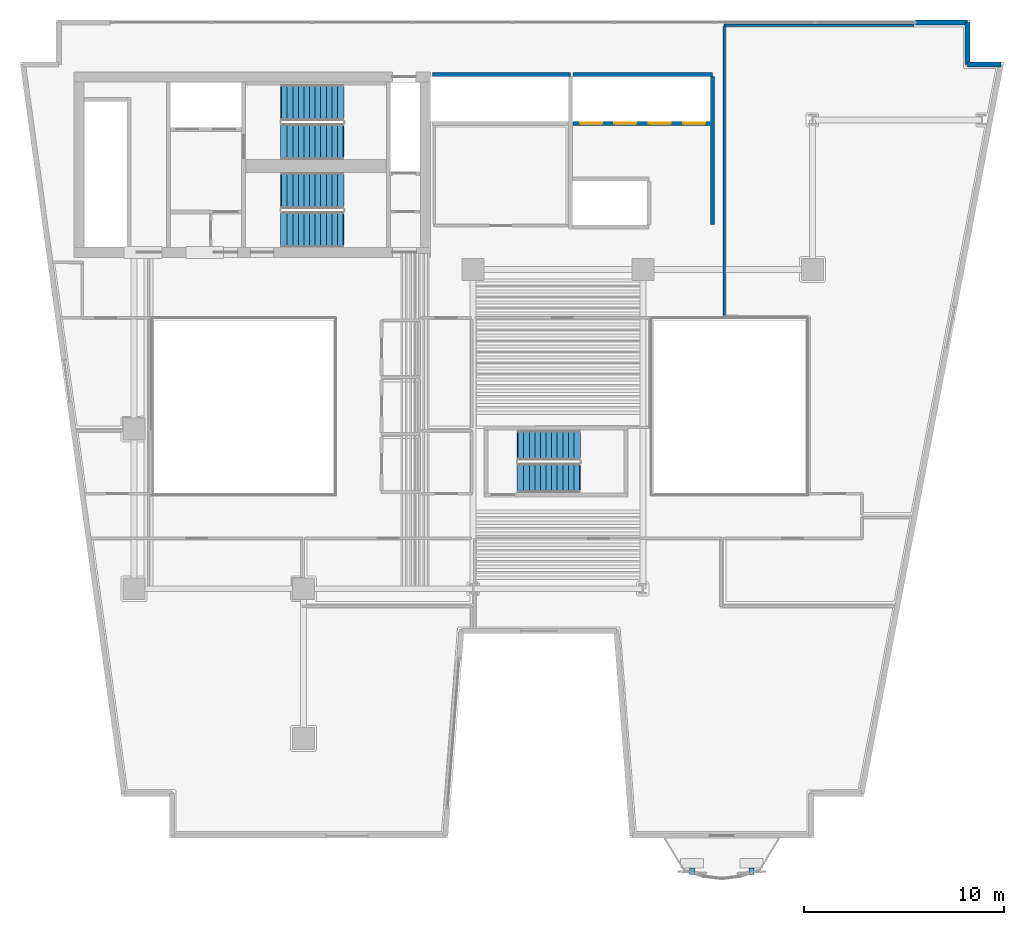
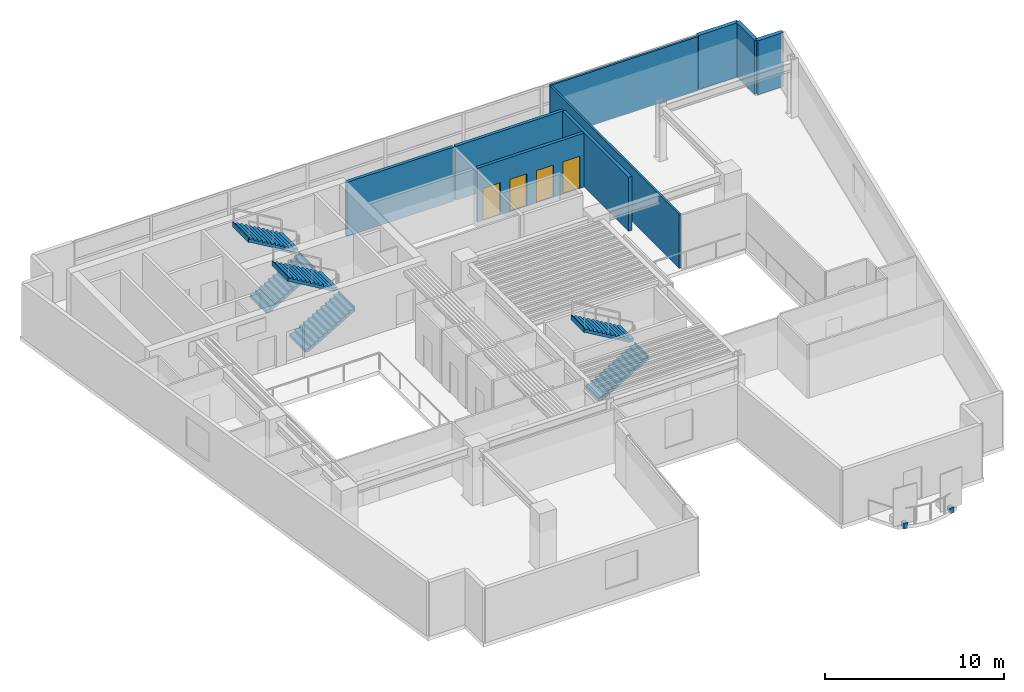
# One storey, part 8 of 12: 9 walls, 6 stair flights, 4 doors, 2 discrete accessories, 4 openings, 3 elements without a shape of their own.
"""IFC4 building model written with IfcOpenShell, lengths in metres."""

from ifc_helpers import new_model, si_unit, direction, frame, frame_2d, origin, origin_2d, place, context, subcontext, project, spatial, polyline, rectangle, outline, extrude, material, layer, layer_set, type_object, element, fill, aggregate, save


model = new_model("IFC4")

# Units and contexts
model_context = context("Model", 3, precision=1e-05, world=origin(), true_north=direction((0.0, 1.0)))
body_context = subcontext(model_context, "Body", "Model", "MODEL_VIEW")
ifc_project = project(units=[si_unit("LENGTHUNIT", "METRE"), si_unit("AREAUNIT", "SQUARE_METRE"), si_unit("VOLUMEUNIT", "CUBIC_METRE"), si_unit("PLANEANGLEUNIT", "RADIAN"), si_unit("MASSUNIT", "GRAM", prefix="KILO")], contexts=[model_context])

# Site, building, storey
site_placement = place(None, origin())
site = spatial("IfcSite", under=ifc_project, at=site_placement, CompositionType="ELEMENT")
building_placement = place(site_placement, origin())
building = spatial("IfcBuilding", under=site, at=building_placement, Name="Caeloran Harvest Quay", CompositionType="ELEMENT")
storey_placement = place(building_placement, frame((0.0, 0.0, 111.39990234375)))
storey = spatial("IfcBuildingStorey", under=building, at=storey_placement, Name="L25", CompositionType="ELEMENT", Elevation=111.39990234375)

# Walls
ifc_material_1 = material(Name="Precast concrete C50/60", Category="concrete")
ifc_layer_1 = layer(ifc_material_1, 0.260009765625, Name="Precast concrete C50/60")
ifc_layer_set_1 = layer_set([ifc_layer_1], Name="Precast concrete C50/60")
wall_type_1 = type_object("IfcWallType", Name="ENV-WALL-EW-260", PredefinedType="STANDARD", material=ifc_layer_set_1)
wall_1_placement = place(storey_placement, frame((47.669921875, 43.3701171875, 0.0), z_axis=(0.0, 0.0, 1.0), x_axis=(1.0, 0.0, 0.0)))
element("IfcWall", 1, at=wall_1_placement, inside=storey, type_object=wall_type_1, Name="L25 Exterior Facade Corner Pier Wall 6B", PredefinedType="STANDARD", context=body_context, shape_type="SweptSolid", body=[
    extrude(rectangle(XDim=2.60009765625, YDim=0.260009765625, at=frame_2d((1.300048828125, 0.0))), origin(), (0.0, 0.0, 1.0), 3.690185546875),
])
wall_2_placement = place(storey_placement, frame((50.27001953125, 43.3701171875, 0.0), z_axis=(0.0, 0.0, 1.0), x_axis=(0.0, -1.0, 0.0)))
element("IfcWall", 2, at=wall_2_placement, inside=storey, type_object=wall_type_1, Name="L25 Exterior Precast Concrete Facade Wall 7", PredefinedType="STANDARD", context=body_context, shape_type="SweptSolid", body=[
    extrude(rectangle(XDim=2.10009765625, YDim=0.260009765625, at=frame_2d((1.050048828125, 0.0))), origin(), (0.0, 0.0, 1.0), 3.690185546875),
])
wall_3_placement = place(storey_placement, frame((50.27001953125, 41.27001953125, 0.0), z_axis=(0.0, 0.0, 1.0), x_axis=(1.0, 0.0, 0.0)))
element("IfcWall", 3, at=wall_3_placement, inside=storey, type_object=wall_type_1, Name="L25 Exterior Precast Concrete Facade Wall 8", PredefinedType="STANDARD", context=body_context, shape_type="SweptSolid", body=[
    extrude(rectangle(XDim=1.671875, YDim=0.260009765625, at=frame_2d((0.8359375, 0.0))), origin(), (0.0, 0.0, 1.0), 3.690185546875),
])
ifc_material_2 = material(Name="Twin-Stud Mineral-Wool Acoustic Gypsum Partition", Category="gypsum")
ifc_layer_2 = layer(ifc_material_2, 0.125, Name="Twin-Stud Mineral-Wool Acoustic Gypsum Partition")
ifc_layer_set_2 = layer_set([ifc_layer_2], Name="Twin-Stud Mineral-Wool Acoustic Gypsum Partition")
wall_type_2 = type_object("IfcWallType", Name="INT-WALL-PW-125", PredefinedType="PARTITIONING", material=ifc_layer_set_2)
wall_4_placement = place(storey_placement, frame((38.080078125, 43.239990234375, 0.0), z_axis=(0.0, 0.0, 1.0), x_axis=(1.0, 0.0, 0.0)))
element("IfcWall", 4, at=wall_4_placement, inside=storey, type_object=wall_type_2, Name="Phenotyping Sensor Laboratory 10 Partition Wall", PredefinedType="PARTITIONING", context=body_context, shape_type="SweptSolid", body=[
    extrude(rectangle(XDim=9.515380859375, YDim=0.125, at=frame_2d((4.7578125, 0.0))), origin(), (0.0, 0.0, 1.0), 3.690185546875),
])
wall_5_placement = place(storey_placement, frame((38.080078125, 28.697509765625, 0.0), z_axis=(0.0, 0.0, 1.0), x_axis=(0.0, 1.0, 0.0)))
element("IfcWall", 5, at=wall_5_placement, inside=storey, type_object=wall_type_2, Name="Phenotyping Sensor Laboratory 10 Partition Wall", PredefinedType="PARTITIONING", context=body_context, shape_type="SweptSolid", body=[
    extrude(rectangle(XDim=14.47509765625, YDim=0.125, at=frame_2d((7.237548828125, 0.0))), origin(), (0.0, 0.0, 1.0), 3.690185546875),
])
ifc_material_3 = material(Name="Concrete C50/60", Category="concrete")
ifc_layer_3 = layer(ifc_material_3, 0.199951171875, Name="Concrete C50/60")
ifc_layer_set_3 = layer_set([ifc_layer_3], Name="Concrete C50/60")
wall_type_3 = type_object("IfcWallType", Name="INT-WALL-SW-200", PredefinedType="PARTITIONING", material=ifc_layer_set_3)
wall_6_placement = place(storey_placement, frame((23.469970703125, 40.780029296875, 0.0), z_axis=(0.0, 0.0, 1.0), x_axis=(1.0, 0.0, 0.0)))
element("IfcWall", 6, at=wall_6_placement, inside=storey, type_object=wall_type_3, Name="L25 Bank 1 Lift Shaft North Wall", PredefinedType="PARTITIONING", context=body_context, shape_type="SweptSolid", body=[
    extrude(rectangle(XDim=6.909912109375, YDim=0.199951171875, at=frame_2d((3.455078125, 0.0))), origin(), (0.0, 0.0, 1.0), 3.690185546875),
])
wall_7_placement = place(storey_placement, frame((30.5, 40.780029296875, 0.0), z_axis=(0.0, 0.0, 1.0), x_axis=(1.0, 0.0, 0.0)))
element("IfcWall", 7, at=wall_7_placement, inside=storey, type_object=wall_type_3, Name="L25 Bank 2 Lift Shaft North Wall", PredefinedType="PARTITIONING", context=body_context, shape_type="SweptSolid", body=[
    extrude(rectangle(XDim=6.97998046875, YDim=0.199951171875, at=frame_2d((3.489990234375, 0.0))), origin(), (0.0, 0.0, 1.0), 3.690185546875),
])
wall_8_placement = place(storey_placement, frame((37.47998046875, 33.239990234375, 0.0), z_axis=(0.0, 0.0, 1.0), x_axis=(0.0, 1.0, 0.0)))
element("IfcWall", 8, at=wall_8_placement, inside=storey, type_object=wall_type_3, Name="L25 Bank 2 Lift Shaft East Wall", PredefinedType="PARTITIONING", context=body_context, shape_type="SweptSolid", body=[
    extrude(rectangle(XDim=7.419921875, YDim=0.199951171875, at=frame_2d((3.7099609375, 0.0))), origin(), (0.0, 0.0, 1.0), 3.690185546875),
])

# Wall, openings, doors
wall_9_placement = place(storey_placement, frame((30.5, 38.320068359375, 0.0), z_axis=(0.0, 0.0, 1.0), x_axis=(1.0, 0.0, 0.0)))
wall_9 = element("IfcWall", 9, at=wall_9_placement, inside=storey, type_object=wall_type_3, Name="L25 Bank 2 Lift Landing Front Wall", PredefinedType="PARTITIONING", context=body_context, shape_type="SweptSolid", body=[
    extrude(rectangle(XDim=6.860107421875, YDim=0.199951171875, at=frame_2d((3.43017578125, 0.0))), origin(), (0.0, 0.0, 1.0), 3.690185546875),
])
opening_1_placement = place(wall_9_placement, frame((0.360107421875, 0.0, 0.0)))
opening_1 = element("IfcOpeningElement", 10, at=opening_1_placement, cuts=wall_9, Name="Opening LD-01", PredefinedType="OPENING", context=body_context, shape_type="SweptSolid", body=[
    extrude(rectangle(XDim=1.10009765625, YDim=2.199951171875, at=frame_2d((0.550048828125, 1.10009765625))), frame((0.0, 0.10986328125, 0.0), z_axis=(0.0, -1.0, 0.0), x_axis=(1.0, 0.0, 0.0)), (0.0, 0.0, 1.0), 0.219970703125),
])
opening_2_placement = place(wall_9_placement, frame((2.080078125, 0.0, 0.0)))
opening_2 = element("IfcOpeningElement", 11, at=opening_2_placement, cuts=wall_9, Name="Opening LD-01", PredefinedType="OPENING", context=body_context, shape_type="SweptSolid", body=[
    extrude(rectangle(XDim=1.10009765625, YDim=2.199951171875, at=frame_2d((0.550048828125, 1.10009765625))), frame((0.0, 0.10986328125, 0.0), z_axis=(0.0, -1.0, 0.0), x_axis=(1.0, 0.0, 0.0)), (0.0, 0.0, 1.0), 0.219970703125),
])
opening_3_placement = place(wall_9_placement, frame((3.800048828125, 0.0, 0.0)))
opening_3 = element("IfcOpeningElement", 12, at=opening_3_placement, cuts=wall_9, Name="Opening LD-01", PredefinedType="OPENING", context=body_context, shape_type="SweptSolid", body=[
    extrude(rectangle(XDim=1.10009765625, YDim=2.199951171875, at=frame_2d((0.550048828125, 1.10009765625))), frame((0.0, 0.10986328125, 0.0), z_axis=(0.0, -1.0, 0.0), x_axis=(1.0, 0.0, 0.0)), (0.0, 0.0, 1.0), 0.219970703125),
])
opening_4_placement = place(wall_9_placement, frame((5.52001953125, 0.0, 0.0)))
opening_4 = element("IfcOpeningElement", 13, at=opening_4_placement, cuts=wall_9, Name="Opening LD-01", PredefinedType="OPENING", context=body_context, shape_type="SweptSolid", body=[
    extrude(rectangle(XDim=1.10009765625, YDim=2.199951171875, at=frame_2d((0.550048828125, 1.10009765625))), frame((0.0, 0.10986328125, 0.0), z_axis=(0.0, -1.0, 0.0), x_axis=(1.0, 0.0, 0.0)), (0.0, 0.0, 1.0), 0.219970703125),
])
ifc_material_4 = material(Name="Stainless Steel Grade 316", Category="steel")
door_type = type_object("IfcDoorType", Name="INTDOOR-LD-01", OperationType="NOTDEFINED", PredefinedType="DOOR", material=ifc_material_4)
door_1_placement = place(opening_1_placement, origin())
door_1 = element("IfcDoor", 14, at=door_1_placement, inside=storey, type_object=door_type, Name="Lift P2-1 Sliding Landing Door (L25)", OperationType="DOUBLE_DOOR_SLIDING", OverallHeight=2.199951171875, OverallWidth=1.10009765625, PredefinedType="DOOR", context=body_context, shape_type="SweptSolid", body=[
    extrude(rectangle(XDim=1.10009765625, YDim=2.199951171875, at=frame_2d((0.550048828125, 1.10009765625))), frame((0.0, 0.02490234375, 0.0), z_axis=(0.0, -1.0, 0.0), x_axis=(1.0, 0.0, 0.0)), (0.0, 0.0, 1.0), 0.050048828125),
])
fill(opening_1, door_1)
door_2_placement = place(opening_2_placement, origin())
door_2 = element("IfcDoor", 15, at=door_2_placement, inside=storey, type_object=door_type, Name="Lift P2-2 Sliding Landing Door (L25)", OperationType="DOUBLE_DOOR_SLIDING", OverallHeight=2.199951171875, OverallWidth=1.10009765625, PredefinedType="DOOR", context=body_context, shape_type="SweptSolid", body=[
    extrude(rectangle(XDim=1.10009765625, YDim=2.199951171875, at=frame_2d((0.550048828125, 1.10009765625))), frame((0.0, 0.02490234375, 0.0), z_axis=(0.0, -1.0, 0.0), x_axis=(1.0, 0.0, 0.0)), (0.0, 0.0, 1.0), 0.050048828125),
])
fill(opening_2, door_2)
door_3_placement = place(opening_3_placement, origin())
door_3 = element("IfcDoor", 16, at=door_3_placement, inside=storey, type_object=door_type, Name="Lift P2-3 Sliding Landing Door (L25)", OperationType="DOUBLE_DOOR_SLIDING", OverallHeight=2.199951171875, OverallWidth=1.10009765625, PredefinedType="DOOR", context=body_context, shape_type="SweptSolid", body=[
    extrude(rectangle(XDim=1.10009765625, YDim=2.199951171875, at=frame_2d((0.550048828125, 1.10009765625))), frame((0.0, 0.02490234375, 0.0), z_axis=(0.0, -1.0, 0.0), x_axis=(1.0, 0.0, 0.0)), (0.0, 0.0, 1.0), 0.050048828125),
])
fill(opening_3, door_3)
door_4_placement = place(opening_4_placement, origin())
door_4 = element("IfcDoor", 17, at=door_4_placement, inside=storey, type_object=door_type, Name="Lift P2-4 Sliding Landing Door (L25)", OperationType="DOUBLE_DOOR_SLIDING", OverallHeight=2.199951171875, OverallWidth=1.10009765625, PredefinedType="DOOR", context=body_context, shape_type="SweptSolid", body=[
    extrude(rectangle(XDim=1.10009765625, YDim=2.199951171875, at=frame_2d((0.550048828125, 1.10009765625))), frame((0.0, 0.02490234375, 0.0), z_axis=(0.0, -1.0, 0.0), x_axis=(1.0, 0.0, 0.0)), (0.0, 0.0, 1.0), 0.050048828125),
])
fill(opening_4, door_4)

# Stair, stair flights
stair_type_1 = type_object("IfcStairType", Name="STAIR-STC-180", PredefinedType="HALF_TURN_STAIR", material=ifc_material_3)
stair_1_placement = place(storey_placement, origin())
stair_1 = element("IfcStair", 18, at=stair_1_placement, inside=storey, type_object=stair_type_1, Name="L25 Core Pressurized Exit Stair ST-C1", PredefinedType="HALF_TURN_STAIR")
stair_flight_type_1 = type_object("IfcStairFlightType", Name="FLIGHT-STC-180", PredefinedType="STRAIGHT", material=ifc_material_3)
stair_flight_1_placement = place(storey_placement, frame((15.89990234375, 37.39990234375, 0.0), z_axis=(0.0, 0.0, 1.0), x_axis=(1.0, 0.0, 0.0)))
stair_flight_1 = element("IfcStairFlight", 19, at=stair_flight_1_placement, type_object=stair_flight_type_1, Name="ST-C1 flight 1", NumberOfRisers=12, NumberOfTreads=11, PredefinedType="STRAIGHT", RiserHeight=0.164583333, TreadLength=0.28, context=body_context, shape_type="SweptSolid", body=[
    extrude(outline(polyline([(-0.054931640625, -0.044921875), (-0.054931640625, -0.031982421875), (-0.054931640625, -0.018798828125), (-0.054931640625, -0.005615234375), (-0.054931640625, 0.00732421875), (-0.054931640625, 0.0205078125), (-0.054931640625, 0.03369140625), (-0.054931640625, 0.046630859375), (-0.054931640625, 0.059814453125), (-0.054931640625, 0.072998046875), (-0.054931640625, 0.0859375), (-0.054931640625, 0.09912109375), (-0.054931640625, 0.1123046875), (-0.054931640625, 0.125244140625), (-0.054931640625, 0.138427734375), (-0.054931640625, 0.1513671875), (-0.054931640625, 0.16455078125), (0.280029296875, 0.16455078125), (0.280029296875, 0.3291015625), (0.56005859375, 0.3291015625), (0.56005859375, 0.49365234375), (0.840087890625, 0.49365234375), (0.840087890625, 0.658447265625), (1.1201171875, 0.658447265625), (1.1201171875, 0.822998046875), (1.39990234375, 0.822998046875), (1.39990234375, 0.987548828125), (1.679931640625, 0.987548828125), (1.679931640625, 1.152099609375), (1.9599609375, 1.152099609375), (1.9599609375, 1.316650390625), (2.239990234375, 1.316650390625), (2.239990234375, 1.481201171875), (2.52001953125, 1.481201171875), (2.52001953125, 1.645751953125), (2.800048828125, 1.645751953125), (2.800048828125, 1.810302734375), (3.080078125, 1.810302734375), (3.080078125, 1.97509765625), (3.135009765625, 1.97509765625), (3.135009765625, 1.953857421875), (3.135009765625, 1.9326171875), (3.135009765625, 1.91162109375), (3.135009765625, 1.890380859375), (3.135009765625, 1.869140625), (3.135009765625, 1.84814453125), (3.135009765625, 1.826904296875), (3.135009765625, 1.8056640625), (3.135009765625, 1.78466796875), (3.135009765625, 1.763427734375), (3.135009765625, 1.7421875), (3.135009765625, 1.72119140625), (3.135009765625, 1.699951171875), (3.135009765625, 1.678955078125), (3.135009765625, 1.65771484375), (3.135009765625, 1.636474609375), (3.080078125, 1.636474609375), (0.21923828125, -0.044921875), (-0.054931640625, -0.044921875)])), frame((0.0, 0.89990234375, 0.0), z_axis=(0.0, -1.0, 0.0), x_axis=(1.0, 0.0, 0.0)), (0.0, 0.0, 1.0), 1.800048828125),
])
stair_flight_2_placement = place(storey_placement, frame((18.97998046875, 39.35009765625, 1.97509765625), z_axis=(0.0, 0.0, 1.0), x_axis=(-1.0, 0.0, 0.0)))
stair_flight_2 = element("IfcStairFlight", 20, at=stair_flight_2_placement, type_object=stair_flight_type_1, Name="ST-C1 flight 2", NumberOfRisers=12, NumberOfTreads=11, PredefinedType="STRAIGHT", RiserHeight=0.164583333, TreadLength=0.28, context=body_context, shape_type="SweptSolid", body=[
    extrude(outline(polyline([(-0.054931640625, -0.044921875), (-0.054931640625, -0.031982421875), (-0.054931640625, -0.018798828125), (-0.054931640625, -0.005615234375), (-0.054931640625, 0.00732421875), (-0.054931640625, 0.0205078125), (-0.054931640625, 0.03369140625), (-0.054931640625, 0.046630859375), (-0.054931640625, 0.059814453125), (-0.054931640625, 0.072998046875), (-0.054931640625, 0.0859375), (-0.054931640625, 0.09912109375), (-0.054931640625, 0.1123046875), (-0.054931640625, 0.125244140625), (-0.054931640625, 0.138427734375), (-0.054931640625, 0.1513671875), (-0.054931640625, 0.16455078125), (0.280029296875, 0.16455078125), (0.280029296875, 0.3291015625), (0.56005859375, 0.3291015625), (0.56005859375, 0.49365234375), (0.840087890625, 0.49365234375), (0.840087890625, 0.658447265625), (1.1201171875, 0.658447265625), (1.1201171875, 0.822998046875), (1.39990234375, 0.822998046875), (1.39990234375, 0.987548828125), (1.679931640625, 0.987548828125), (1.679931640625, 1.152099609375), (1.9599609375, 1.152099609375), (1.9599609375, 1.316650390625), (2.239990234375, 1.316650390625), (2.239990234375, 1.481201171875), (2.52001953125, 1.481201171875), (2.52001953125, 1.645751953125), (2.800048828125, 1.645751953125), (2.800048828125, 1.810302734375), (3.080078125, 1.810302734375), (3.080078125, 1.97509765625), (3.135009765625, 1.97509765625), (3.135009765625, 1.953857421875), (3.135009765625, 1.9326171875), (3.135009765625, 1.91162109375), (3.135009765625, 1.890380859375), (3.135009765625, 1.869140625), (3.135009765625, 1.84814453125), (3.135009765625, 1.826904296875), (3.135009765625, 1.8056640625), (3.135009765625, 1.78466796875), (3.135009765625, 1.763427734375), (3.135009765625, 1.7421875), (3.135009765625, 1.72119140625), (3.135009765625, 1.699951171875), (3.135009765625, 1.678955078125), (3.135009765625, 1.65771484375), (3.135009765625, 1.636474609375), (3.080078125, 1.636474609375), (0.21923828125, -0.044921875), (-0.054931640625, -0.044921875)])), frame((0.0, 0.89990234375, 0.0), z_axis=(0.0, -1.0, 0.0), x_axis=(1.0, 0.0, 0.0)), (0.0, 0.0, 1.0), 1.800048828125),
])
aggregate(stair_1, [stair_flight_1, stair_flight_2])

stair_2_placement = place(storey_placement, origin())
stair_2 = element("IfcStair", 21, at=stair_2_placement, inside=storey, type_object=stair_type_1, Name="L25 Core Pressurized Exit Stair ST-C2", PredefinedType="HALF_TURN_STAIR")
stair_flight_3_placement = place(storey_placement, frame((15.89990234375, 33.0, 0.0), z_axis=(0.0, 0.0, 1.0), x_axis=(1.0, 0.0, 0.0)))
stair_flight_3 = element("IfcStairFlight", 22, at=stair_flight_3_placement, type_object=stair_flight_type_1, Name="ST-C2 flight 1", NumberOfRisers=12, NumberOfTreads=11, PredefinedType="STRAIGHT", RiserHeight=0.164583333, TreadLength=0.28, context=body_context, shape_type="SweptSolid", body=[
    extrude(outline(polyline([(-0.054931640625, -0.044921875), (-0.054931640625, -0.031982421875), (-0.054931640625, -0.018798828125), (-0.054931640625, -0.005615234375), (-0.054931640625, 0.00732421875), (-0.054931640625, 0.0205078125), (-0.054931640625, 0.03369140625), (-0.054931640625, 0.046630859375), (-0.054931640625, 0.059814453125), (-0.054931640625, 0.072998046875), (-0.054931640625, 0.0859375), (-0.054931640625, 0.09912109375), (-0.054931640625, 0.1123046875), (-0.054931640625, 0.125244140625), (-0.054931640625, 0.138427734375), (-0.054931640625, 0.1513671875), (-0.054931640625, 0.16455078125), (0.280029296875, 0.16455078125), (0.280029296875, 0.3291015625), (0.56005859375, 0.3291015625), (0.56005859375, 0.49365234375), (0.840087890625, 0.49365234375), (0.840087890625, 0.658447265625), (1.1201171875, 0.658447265625), (1.1201171875, 0.822998046875), (1.39990234375, 0.822998046875), (1.39990234375, 0.987548828125), (1.679931640625, 0.987548828125), (1.679931640625, 1.152099609375), (1.9599609375, 1.152099609375), (1.9599609375, 1.316650390625), (2.239990234375, 1.316650390625), (2.239990234375, 1.481201171875), (2.52001953125, 1.481201171875), (2.52001953125, 1.645751953125), (2.800048828125, 1.645751953125), (2.800048828125, 1.810302734375), (3.080078125, 1.810302734375), (3.080078125, 1.97509765625), (3.135009765625, 1.97509765625), (3.135009765625, 1.953857421875), (3.135009765625, 1.9326171875), (3.135009765625, 1.91162109375), (3.135009765625, 1.890380859375), (3.135009765625, 1.869140625), (3.135009765625, 1.84814453125), (3.135009765625, 1.826904296875), (3.135009765625, 1.8056640625), (3.135009765625, 1.78466796875), (3.135009765625, 1.763427734375), (3.135009765625, 1.7421875), (3.135009765625, 1.72119140625), (3.135009765625, 1.699951171875), (3.135009765625, 1.678955078125), (3.135009765625, 1.65771484375), (3.135009765625, 1.636474609375), (3.080078125, 1.636474609375), (0.21923828125, -0.044921875), (-0.054931640625, -0.044921875)])), frame((0.0, 0.89990234375, 0.0), z_axis=(0.0, -1.0, 0.0), x_axis=(1.0, 0.0, 0.0)), (0.0, 0.0, 1.0), 1.800048828125),
])
stair_flight_4_placement = place(storey_placement, frame((18.97998046875, 34.949951171875, 1.97509765625), z_axis=(0.0, 0.0, 1.0), x_axis=(-1.0, 0.0, 0.0)))
stair_flight_4 = element("IfcStairFlight", 23, at=stair_flight_4_placement, type_object=stair_flight_type_1, Name="ST-C2 flight 2", NumberOfRisers=12, NumberOfTreads=11, PredefinedType="STRAIGHT", RiserHeight=0.164583333, TreadLength=0.28, context=body_context, shape_type="SweptSolid", body=[
    extrude(outline(polyline([(-0.054931640625, -0.044921875), (-0.054931640625, -0.031982421875), (-0.054931640625, -0.018798828125), (-0.054931640625, -0.005615234375), (-0.054931640625, 0.00732421875), (-0.054931640625, 0.0205078125), (-0.054931640625, 0.03369140625), (-0.054931640625, 0.046630859375), (-0.054931640625, 0.059814453125), (-0.054931640625, 0.072998046875), (-0.054931640625, 0.0859375), (-0.054931640625, 0.09912109375), (-0.054931640625, 0.1123046875), (-0.054931640625, 0.125244140625), (-0.054931640625, 0.138427734375), (-0.054931640625, 0.1513671875), (-0.054931640625, 0.16455078125), (0.280029296875, 0.16455078125), (0.280029296875, 0.3291015625), (0.56005859375, 0.3291015625), (0.56005859375, 0.49365234375), (0.840087890625, 0.49365234375), (0.840087890625, 0.658447265625), (1.1201171875, 0.658447265625), (1.1201171875, 0.822998046875), (1.39990234375, 0.822998046875), (1.39990234375, 0.987548828125), (1.679931640625, 0.987548828125), (1.679931640625, 1.152099609375), (1.9599609375, 1.152099609375), (1.9599609375, 1.316650390625), (2.239990234375, 1.316650390625), (2.239990234375, 1.481201171875), (2.52001953125, 1.481201171875), (2.52001953125, 1.645751953125), (2.800048828125, 1.645751953125), (2.800048828125, 1.810302734375), (3.080078125, 1.810302734375), (3.080078125, 1.97509765625), (3.135009765625, 1.97509765625), (3.135009765625, 1.953857421875), (3.135009765625, 1.9326171875), (3.135009765625, 1.91162109375), (3.135009765625, 1.890380859375), (3.135009765625, 1.869140625), (3.135009765625, 1.84814453125), (3.135009765625, 1.826904296875), (3.135009765625, 1.8056640625), (3.135009765625, 1.78466796875), (3.135009765625, 1.763427734375), (3.135009765625, 1.7421875), (3.135009765625, 1.72119140625), (3.135009765625, 1.699951171875), (3.135009765625, 1.678955078125), (3.135009765625, 1.65771484375), (3.135009765625, 1.636474609375), (3.080078125, 1.636474609375), (0.21923828125, -0.044921875), (-0.054931640625, -0.044921875)])), frame((0.0, 0.89990234375, 0.0), z_axis=(0.0, -1.0, 0.0), x_axis=(1.0, 0.0, 0.0)), (0.0, 0.0, 1.0), 1.800048828125),
])
aggregate(stair_2, [stair_flight_3, stair_flight_4])

stair_type_2 = type_object("IfcStairType", Name="STAIR-STW-150", PredefinedType="HALF_TURN_STAIR", material=ifc_material_3)
stair_3_placement = place(storey_placement, origin())
stair_3 = element("IfcStair", 24, at=stair_3_placement, inside=storey, type_object=stair_type_2, Name="L25 East Wing Protected Exit Stair ST-W1", PredefinedType="HALF_TURN_STAIR")
stair_flight_type_2 = type_object("IfcStairFlightType", Name="FLIGHT-STW-150", PredefinedType="STRAIGHT", material=ifc_material_3)
stair_flight_5_placement = place(storey_placement, frame((27.75, 20.550048828125, 0.0), z_axis=(0.0, 0.0, 1.0), x_axis=(1.0, 0.0, 0.0)))
stair_flight_5 = element("IfcStairFlight", 25, at=stair_flight_5_placement, type_object=stair_flight_type_2, Name="ST-W1 flight 1", NumberOfRisers=12, NumberOfTreads=11, PredefinedType="STRAIGHT", RiserHeight=0.164583333, TreadLength=0.28, context=body_context, shape_type="SweptSolid", body=[
    extrude(outline(polyline([(-0.054931640625, -0.044921875), (-0.054931640625, -0.031982421875), (-0.054931640625, -0.018798828125), (-0.054931640625, -0.005615234375), (-0.054931640625, 0.00732421875), (-0.054931640625, 0.0205078125), (-0.054931640625, 0.03369140625), (-0.054931640625, 0.046630859375), (-0.054931640625, 0.059814453125), (-0.054931640625, 0.072998046875), (-0.054931640625, 0.0859375), (-0.054931640625, 0.09912109375), (-0.054931640625, 0.1123046875), (-0.054931640625, 0.125244140625), (-0.054931640625, 0.138427734375), (-0.054931640625, 0.1513671875), (-0.054931640625, 0.16455078125), (0.280029296875, 0.16455078125), (0.280029296875, 0.3291015625), (0.56005859375, 0.3291015625), (0.56005859375, 0.49365234375), (0.840087890625, 0.49365234375), (0.840087890625, 0.658447265625), (1.1201171875, 0.658447265625), (1.1201171875, 0.822998046875), (1.39990234375, 0.822998046875), (1.39990234375, 0.987548828125), (1.679931640625, 0.987548828125), (1.679931640625, 1.152099609375), (1.9599609375, 1.152099609375), (1.9599609375, 1.316650390625), (2.239990234375, 1.316650390625), (2.239990234375, 1.481201171875), (2.52001953125, 1.481201171875), (2.52001953125, 1.645751953125), (2.800048828125, 1.645751953125), (2.800048828125, 1.810302734375), (3.080078125, 1.810302734375), (3.080078125, 1.97509765625), (3.135009765625, 1.97509765625), (3.135009765625, 1.953857421875), (3.135009765625, 1.9326171875), (3.135009765625, 1.91162109375), (3.135009765625, 1.890380859375), (3.135009765625, 1.869140625), (3.135009765625, 1.84814453125), (3.135009765625, 1.826904296875), (3.135009765625, 1.8056640625), (3.135009765625, 1.78466796875), (3.135009765625, 1.763427734375), (3.135009765625, 1.7421875), (3.135009765625, 1.72119140625), (3.135009765625, 1.699951171875), (3.135009765625, 1.678955078125), (3.135009765625, 1.65771484375), (3.135009765625, 1.636474609375), (3.080078125, 1.636474609375), (0.21923828125, -0.044921875), (-0.054931640625, -0.044921875)])), frame((0.0, 0.75, 0.0), z_axis=(0.0, -1.0, 0.0), x_axis=(1.0, 0.0, 0.0)), (0.0, 0.0, 1.0), 1.5),
])
stair_flight_6_placement = place(storey_placement, frame((30.830078125, 22.199951171875, 1.97509765625), z_axis=(0.0, 0.0, 1.0), x_axis=(-1.0, 0.0, 0.0)))
stair_flight_6 = element("IfcStairFlight", 26, at=stair_flight_6_placement, type_object=stair_flight_type_2, Name="ST-W1 flight 2", NumberOfRisers=12, NumberOfTreads=11, PredefinedType="STRAIGHT", RiserHeight=0.164583333, TreadLength=0.28, context=body_context, shape_type="SweptSolid", body=[
    extrude(outline(polyline([(-0.054931640625, -0.044921875), (-0.054931640625, -0.031982421875), (-0.054931640625, -0.018798828125), (-0.054931640625, -0.005615234375), (-0.054931640625, 0.00732421875), (-0.054931640625, 0.0205078125), (-0.054931640625, 0.03369140625), (-0.054931640625, 0.046630859375), (-0.054931640625, 0.059814453125), (-0.054931640625, 0.072998046875), (-0.054931640625, 0.0859375), (-0.054931640625, 0.09912109375), (-0.054931640625, 0.1123046875), (-0.054931640625, 0.125244140625), (-0.054931640625, 0.138427734375), (-0.054931640625, 0.1513671875), (-0.054931640625, 0.16455078125), (0.280029296875, 0.16455078125), (0.280029296875, 0.3291015625), (0.56005859375, 0.3291015625), (0.56005859375, 0.49365234375), (0.840087890625, 0.49365234375), (0.840087890625, 0.658447265625), (1.1201171875, 0.658447265625), (1.1201171875, 0.822998046875), (1.39990234375, 0.822998046875), (1.39990234375, 0.987548828125), (1.679931640625, 0.987548828125), (1.679931640625, 1.152099609375), (1.9599609375, 1.152099609375), (1.9599609375, 1.316650390625), (2.239990234375, 1.316650390625), (2.239990234375, 1.481201171875), (2.52001953125, 1.481201171875), (2.52001953125, 1.645751953125), (2.800048828125, 1.645751953125), (2.800048828125, 1.810302734375), (3.080078125, 1.810302734375), (3.080078125, 1.97509765625), (3.135009765625, 1.97509765625), (3.135009765625, 1.953857421875), (3.135009765625, 1.9326171875), (3.135009765625, 1.91162109375), (3.135009765625, 1.890380859375), (3.135009765625, 1.869140625), (3.135009765625, 1.84814453125), (3.135009765625, 1.826904296875), (3.135009765625, 1.8056640625), (3.135009765625, 1.78466796875), (3.135009765625, 1.763427734375), (3.135009765625, 1.7421875), (3.135009765625, 1.72119140625), (3.135009765625, 1.699951171875), (3.135009765625, 1.678955078125), (3.135009765625, 1.65771484375), (3.135009765625, 1.636474609375), (3.080078125, 1.636474609375), (0.21923828125, -0.044921875), (-0.054931640625, -0.044921875)])), frame((0.0, 0.75, 0.0), z_axis=(0.0, -1.0, 0.0), x_axis=(1.0, 0.0, 0.0)), (0.0, 0.0, 1.0), 1.5),
])
aggregate(stair_3, [stair_flight_5, stair_flight_6])

# Discrete accessories
ifc_material_5 = material(Name="Stainless Steel Grade 316L", Category="steel")
discrete_accessory_type = type_object("IfcDiscreteAccessoryType", Name="BRACKET-SCREEN-SS", PredefinedType="BRACKET", material=ifc_material_5)
for number, where, z_axis, x_axis, name in (
    (27, (39.44921875, 0.84521484375, -0.2197265625), (0.0, 0.0, 1.0), (1.0, 0.0, 0.0), "L25 Balcony Screen Support Bracket 1"),
    (28, (36.4658203125, 0.84521484375, -0.2197265625), (0.0, 0.0, 1.0), (1.0, 0.0, 0.0), "L25 Balcony Screen Support Bracket 2"),
):
    element("IfcDiscreteAccessory", number, at=place(storey_placement, frame(where, z_axis=z_axis, x_axis=x_axis)), inside=storey, type_object=discrete_accessory_type, Name=name, PredefinedType="BRACKET", context=body_context, shape_type="SweptSolid", body=[
        extrude(rectangle(XDim=0.260009765625, YDim=0.340087890625, at=origin_2d()), origin(), (0.0, 0.0, 1.0), 0.360107421875),
    ])

save(model, "model.ifc")
